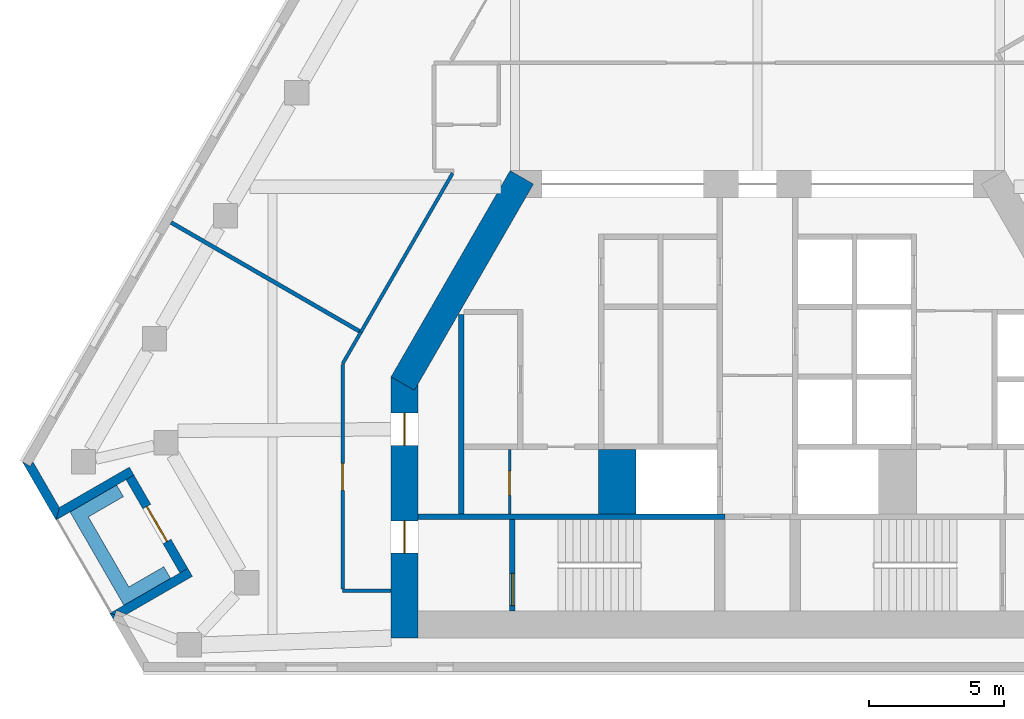
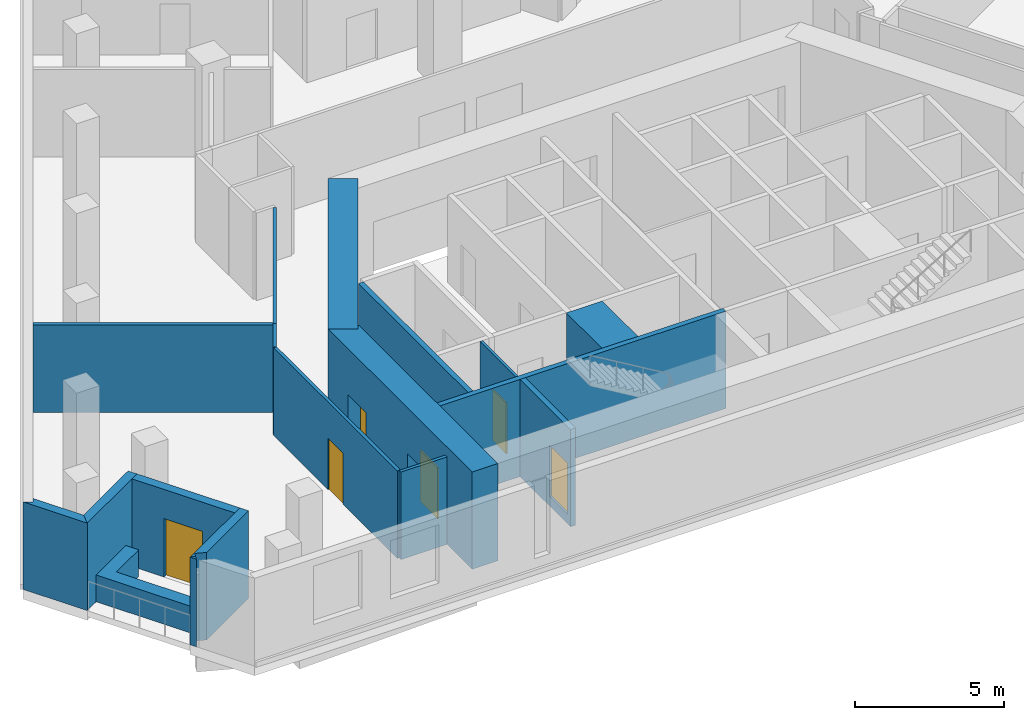
# One storey, part 3 of 9: 18 walls, 6 doors, 6 openings.
"""IFC4 building model written with IfcOpenShell, lengths in metres."""

from ifc_helpers import new_model, si_unit, direction, frame, frame_2d, origin, place, context, subcontext, project, spatial, polyline, rectangle, outline, extrude, material, layer, layer_set, type_object, element, fill, save


model = new_model("IFC4")

# Units and contexts
model_context = context("Model", 3, precision=1e-05, world=origin(), true_north=direction((0.0, 1.0)))
body_context = subcontext(model_context, "Body", "Model", "MODEL_VIEW")
ifc_project = project(units=[si_unit("LENGTHUNIT", "METRE"), si_unit("AREAUNIT", "SQUARE_METRE"), si_unit("VOLUMEUNIT", "CUBIC_METRE"), si_unit("PLANEANGLEUNIT", "RADIAN"), si_unit("MASSUNIT", "GRAM", prefix="KILO")], contexts=[model_context])

# Site, building, storey
site_placement = place(None, origin())
site = spatial("IfcSite", under=ifc_project, at=site_placement, CompositionType="ELEMENT")
building_placement = place(site_placement, origin())
building = spatial("IfcBuilding", under=site, at=building_placement, Name="Fogline Exchange Tower", CompositionType="ELEMENT")
storey_placement = place(building_placement, frame((0.0, 0.0, 210.10009765625)))
storey = spatial("IfcBuildingStorey", under=building, at=storey_placement, Name="L47", CompositionType="ELEMENT", Elevation=210.10009765625)

# Wall, opening, door
ifc_material_1 = material(Name="Blockwork partition", Category="masonry")
ifc_layer_1 = layer(ifc_material_1, 0.10009765625)
ifc_layer_set_1 = layer_set([ifc_layer_1], Name="CW10")
wall_type_1 = type_object("IfcWallType", Name="CW10", PredefinedType="PARTITIONING", material=ifc_layer_set_1)
wall_1_placement = place(storey_placement, frame((-9.199951171875, 5.85009765625, 0.0), z_axis=(0.0, 0.0, 1.0), x_axis=(0.0, 1.0, 0.0)))
wall_1 = element("IfcWall", 1, at=wall_1_placement, inside=storey, type_object=wall_type_1, Name="WC partition", PredefinedType="PARTITIONING", context=body_context, shape_type="SweptSolid", body=[
    extrude(rectangle(XDim=2.39990234375, YDim=0.10009765625, at=frame_2d((1.199951171875, 0.0))), origin(), (0.0, 0.0, 1.0), 3.599853515625),
])
opening_1_placement = place(wall_1_placement, frame((0.699951171875, 0.0, 0.0)))
opening_1 = element("IfcOpeningElement", 2, at=opening_1_placement, cuts=wall_1, Name="Opening T15-C009", PredefinedType="OPENING", context=body_context, shape_type="SweptSolid", body=[
    extrude(rectangle(XDim=0.89990234375, YDim=2.10009765625, at=frame_2d((0.449951171875, 1.050048828125))), frame((0.0, 0.06005859375, 0.0), z_axis=(0.0, -1.0, 0.0), x_axis=(1.0, 0.0, 0.0)), (0.0, 0.0, 1.0), 0.1201171875),
])
ifc_material_2 = material(Name="Steel and timber fire door", Category="steel")
door_type_1 = type_object("IfcDoorType", Name="D-CS1", OperationType="SINGLE_SWING_RIGHT", PredefinedType="DOOR", material=ifc_material_2)
door_1_placement = place(opening_1_placement, origin())
door_1 = element("IfcDoor", 3, at=door_1_placement, inside=storey, type_object=door_type_1, Name="Door to Cleaner's Store", OperationType="SINGLE_SWING_LEFT", OverallHeight=2.10009765625, OverallWidth=0.89990234375, PredefinedType="DOOR", context=body_context, shape_type="SweptSolid", body=[
    extrude(rectangle(XDim=0.89990234375, YDim=2.10009765625, at=frame_2d((0.449951171875, 1.050048828125))), frame((0.0, 0.02490234375, 0.0), z_axis=(0.0, -1.0, 0.0), x_axis=(1.0, 0.0, 0.0)), (0.0, 0.0, 1.0), 0.050048828125),
])
fill(opening_1, door_1)

# Walls
ifc_material_3 = material(Name="Concrete C60", Category="concrete")
ifc_layer_2 = layer(ifc_material_3, 1.39990234375)
ifc_layer_set_2 = layer_set([ifc_layer_2], Name="CW140")
wall_type_2 = type_object("IfcWallType", Name="CW140", PredefinedType="SOLIDWALL", material=ifc_layer_set_2)
wall_2_placement = place(storey_placement, frame((-5.199951171875, 5.85009765625, -0.400146484375), z_axis=(0.0, 0.0, 1.0), x_axis=(0.0, 1.0, 0.0)))
element("IfcWall", 4, at=wall_2_placement, inside=storey, type_object=wall_type_2, Name="Lift shaft block wall", PredefinedType="SOLIDWALL", context=body_context, shape_type="SweptSolid", body=[
    extrude(rectangle(XDim=2.39990234375, YDim=1.39990234375, at=frame_2d((1.199951171875, 0.0))), origin(), (0.0, 0.0, 1.0), 4.0),
])
ifc_material_4 = material(Name="Concrete C40", Category="concrete")
ifc_layer_3 = layer(ifc_material_4, 0.199951171875)
ifc_layer_set_3 = layer_set([ifc_layer_3], Name="CW20")
wall_type_3 = type_object("IfcWallType", Name="CW20", PredefinedType="SOLIDWALL", material=ifc_layer_set_3)
wall_3_placement = place(storey_placement, frame((-11.0, 5.85009765625, 0.0), z_axis=(0.0, 0.0, 1.0), x_axis=(0.0, 1.0, 0.0)))
element("IfcWall", 5, at=wall_3_placement, inside=storey, type_object=wall_type_3, Name="Service room wall", PredefinedType="SOLIDWALL", context=body_context, shape_type="SweptSolid", body=[
    extrude(rectangle(XDim=7.39990234375, YDim=0.199951171875, at=frame_2d((3.699951171875, 0.0))), origin(), (0.0, 0.0, 1.0), 3.599853515625),
])
ifc_layer_4 = layer(ifc_material_4, 0.199951171875)
ifc_layer_set_4 = layer_set([ifc_layer_4], Name="CW20R")
wall_type_4 = type_object("IfcWallType", Name="CW20R", PredefinedType="SOLIDWALL", material=ifc_layer_set_4)
wall_4_placement = place(storey_placement, frame((-12.60009765625, 5.75, -0.400146484375), z_axis=(0.0, 0.0, 1.0), x_axis=(1.0, 0.0, 0.0)))
element("IfcWall", 6, at=wall_4_placement, inside=storey, type_object=wall_type_4, Name="Stair enclosure wall", PredefinedType="SOLIDWALL", context=body_context, shape_type="SweptSolid", body=[
    extrude(rectangle(XDim=11.400146484375, YDim=0.199951171875, at=frame_2d((5.7001953125, 0.0))), origin(), (0.0, 0.0, 1.0), 4.0),
])

# Wall, opening, door
wall_5_placement = place(storey_placement, frame((-9.10009765625, 2.25, -0.400146484375), z_axis=(0.0, 0.0, 1.0), x_axis=(0.0, 1.0, 0.0)))
wall_5 = element("IfcWall", 7, at=wall_5_placement, inside=storey, type_object=wall_type_4, Name="Stair enclosure wall", PredefinedType="SOLIDWALL", context=body_context, shape_type="SweptSolid", body=[
    extrude(rectangle(XDim=3.39990234375, YDim=0.199951171875, at=frame_2d((1.699951171875, 0.0))), origin(), (0.0, 0.0, 1.0), 4.0),
])
opening_2_placement = place(wall_5_placement, frame((0.199951171875, 0.0, 0.39990234375)))
opening_2 = element("IfcOpeningElement", 8, at=opening_2_placement, cuts=wall_5, Name="Opening T15-C011", PredefinedType="OPENING", context=body_context, shape_type="SweptSolid", body=[
    extrude(rectangle(XDim=1.199951171875, YDim=2.10009765625, at=frame_2d((0.60009765625, 1.050048828125))), frame((0.0, 0.10986328125, 0.0), z_axis=(0.0, -1.0, 0.0), x_axis=(1.0, 0.0, 0.0)), (0.0, 0.0, 1.0), 0.219970703125),
])
door_type_2 = type_object("IfcDoorType", Name="D-ST1", OperationType="SINGLE_SWING_LEFT", PredefinedType="DOOR", material=ifc_material_2)
door_2_placement = place(opening_2_placement, frame((1.199951171875, 0.0, 0.0), z_axis=(0.0, 0.0, 1.0), x_axis=(-1.0, 0.0, 0.0)))
door_2 = element("IfcDoor", 9, at=door_2_placement, inside=storey, type_object=door_type_2, Name="Stair door ST1", OperationType="SINGLE_SWING_RIGHT", OverallHeight=2.10009765625, OverallWidth=1.199951171875, PredefinedType="DOOR", context=body_context, shape_type="SweptSolid", body=[
    extrude(rectangle(XDim=1.199951171875, YDim=2.10009765625, at=frame_2d((0.60009765625, 1.050048828125))), frame((0.0, 0.02490234375, 0.0), z_axis=(0.0, -1.0, 0.0), x_axis=(1.0, 0.0, 0.0)), (0.0, 0.0, 1.0), 0.050048828125),
])
fill(opening_2, door_2)

# Walls
ifc_material_5 = material(Name="Brick masonry", Category="masonry")
ifc_layer_5 = layer(ifc_material_5, 0.340087890625)
ifc_layer_set_5 = layer_set([ifc_layer_5], Name="FW1")
wall_type_5 = type_object("IfcWallType", Name="FW1", PredefinedType="SOLIDWALL", material=ifc_layer_set_5)
wall_6_placement = place(storey_placement, origin())
element("IfcWall", 10, at=wall_6_placement, inside=storey, type_object=wall_type_5, Name="Brick wall L47 SW-c1", PredefinedType="SOLIDWALL", context=body_context, shape_type="SweptSolid", body=[
    extrude(outline(polyline([(-26.03662109375, 5.6279296875), (-27.28759765625, 7.794921875), (-27.287109375, 7.79541015625), (-26.9921875, 7.625), (-26.89404296875, 7.79541015625), (-25.911376953125, 6.09375), (-26.0361328125, 5.6279296875), (-26.03662109375, 5.6279296875)])), origin(), (0.0, 0.0, 1.0), 3.599853515625),
])
wall_7_placement = place(storey_placement, origin())
element("IfcWall", 11, at=wall_7_placement, inside=storey, type_object=wall_type_5, Name="Brick wall L47 SW-s1", PredefinedType="SOLIDWALL", context=body_context, shape_type="SweptSolid", body=[
    extrude(outline(polyline([(-23.313720703125, 7.594482421875), (-23.14306640625, 7.298828125), (-23.438232421875, 7.128662109375), (-26.037109375, 5.628173828125), (-26.037353515625, 5.62841796875), (-25.91259765625, 6.093994140625), (-23.313720703125, 7.594482421875)])), origin(), (0.0, 0.0, 1.0), 3.599853515625),
])

# Wall, opening, door
wall_8_placement = place(storey_placement, frame((-23.291259765625, 7.214111328125, 0.0), z_axis=(0.0, 0.0, 1.0), x_axis=(0.49999894854, -0.866026010844, 0.0)))
wall_8 = element("IfcWall", 12, at=wall_8_placement, inside=storey, type_object=wall_type_5, Name="Brick wall L47 SW-bk", PredefinedType="SOLIDWALL", context=body_context, shape_type="SweptSolid", body=[
    extrude(rectangle(XDim=4.0, YDim=0.340087890625, at=frame_2d((2.0, 0.0))), origin(), (0.0, 0.0, 1.0), 3.599853515625),
])
opening_3_placement = place(wall_8_placement, frame((1.25, 0.0, 0.0)))
opening_3 = element("IfcOpeningElement", 13, at=opening_3_placement, cuts=wall_8, Name="Opening T15-E021", PredefinedType="OPENING", context=body_context, shape_type="SweptSolid", body=[
    extrude(rectangle(XDim=1.5, YDim=2.39990234375, at=frame_2d((0.75, 1.199951171875))), frame((0.0, 0.18017578125, 0.0), z_axis=(0.0, -1.0, 0.0), x_axis=(1.0, 0.0, 0.0)), (0.0, 0.0, 1.0), 0.360107421875),
])
ifc_material_6 = material(Name="Aluminium and glass", Category="aluminium")
door_type_3 = type_object("IfcDoorType", Name="ED4", OperationType="SINGLE_SWING_LEFT", PredefinedType="DOOR", material=ifc_material_6)
door_3_placement = place(opening_3_placement, frame((1.5, 0.0, 0.0), z_axis=(0.0, 0.0, 1.0), x_axis=(-1.0, 0.0, 0.0)))
door_3 = element("IfcDoor", 14, at=door_3_placement, inside=storey, type_object=door_type_3, Name="Balcony door L47 SW", OperationType="DOUBLE_DOOR_SINGLE_SWING", OverallHeight=2.39990234375, OverallWidth=1.5, PredefinedType="DOOR", context=body_context, shape_type="SweptSolid", body=[
    extrude(rectangle(XDim=1.5, YDim=2.39990234375, at=frame_2d((0.75, 1.199951171875))), frame((0.0, 0.02490234375, 0.0), z_axis=(0.0, -1.0, 0.0), x_axis=(1.0, 0.0, 0.0)), (0.0, 0.0, 1.0), 0.050048828125),
])
fill(opening_3, door_3)

# Walls
wall_9_placement = place(storey_placement, origin())
element("IfcWall", 15, at=wall_9_placement, inside=storey, type_object=wall_type_5, Name="Brick wall L47 SW-s2", PredefinedType="SOLIDWALL", context=body_context, shape_type="SweptSolid", body=[
    extrude(outline(polyline([(-21.438720703125, 3.66552734375), (-21.143798828125, 3.8359375), (-20.97314453125, 3.540283203125), (-23.419677734375, 2.1279296875), (-23.790771484375, 2.2734375), (-23.852783203125, 2.115234375), (-24.03759765625, 2.164794921875), (-24.037841796875, 2.1650390625), (-21.438720703125, 3.66552734375)])), origin(), (0.0, 0.0, 1.0), 3.599853515625),
])
wall_10_placement = place(storey_placement, origin())
element("IfcWall", 16, at=wall_10_placement, inside=storey, type_object=wall_type_5, Name="Brick wall L47 SW-c2", PredefinedType="SOLIDWALL", context=body_context, shape_type="SweptSolid", body=[
    extrude(outline(polyline([(-24.03759765625, 2.165771484375), (-24.037353515625, 2.166015625), (-23.852294921875, 2.116455078125), (-23.915771484375, 1.95458984375), (-24.03759765625, 2.165771484375)])), origin(), (0.0, 0.0, 1.0), 3.599853515625),
])
ifc_material_7 = material(Name="Concrete C30", Category="concrete")
ifc_layer_6 = layer(ifc_material_7, 0.199951171875)
ifc_layer_set_6 = layer_set([ifc_layer_6], Name="PL1")
wall_type_6 = type_object("IfcWallType", Name="PL1", PredefinedType="USERDEFINED", material=ifc_layer_set_6)
wall_11_placement = place(storey_placement, origin())
element("IfcWall", 17, at=wall_11_placement, inside=storey, type_object=wall_type_6, Name="PLANTER balcony L47 SW", ObjectType="PLANTER", PredefinedType="USERDEFINED", context=body_context, shape_type="SweptSolid", body=[
    extrude(outline(polyline([(-22.034912109375, 3.898193359375), (-23.333984375, 3.148193359375), (-24.833984375, 5.74609375), (-23.534912109375, 6.49609375), (-23.784912109375, 6.92919921875), (-25.516845703125, 5.92919921875), (-25.266845703125, 5.49609375), (-23.516845703125, 2.465087890625), (-23.083984375, 2.715087890625), (-23.083984375, 2.715087890625), (-21.784912109375, 3.465087890625), (-22.034912109375, 3.898193359375)])), origin(), (0.0, 0.0, 1.0), 1.099853515625),
])
ifc_material_8 = material(Name="Plasterboard corridor partition with mineral wool, 2 layers each side")
ifc_layer_7 = layer(ifc_material_8, 0.125)
ifc_layer_set_7 = layer_set([ifc_layer_7], Name="PW2")
wall_type_7 = type_object("IfcWallType", Name="PW2", PredefinedType="PARTITIONING", material=ifc_layer_set_7)
wall_12_placement = place(storey_placement, frame((-14.719482421875, 12.606201171875, 0.0), z_axis=(0.0, 0.0, 1.0), x_axis=(0.499982011104, 0.866035789429, 0.0)))
element("IfcWall", 18, at=wall_12_placement, inside=storey, type_object=wall_type_7, Name="wall-L47-W012", PredefinedType="PARTITIONING", context=body_context, shape_type="SweptSolid", body=[
    extrude(rectangle(XDim=6.812255859375, YDim=0.125, at=frame_2d((3.40625, 0.0))), origin(), (0.0, 0.0, 1.0), 3.599853515625),
])
wall_13_placement = place(storey_placement, frame((-13.60009765625, 3.0, 0.0), z_axis=(0.0, 0.0, 1.0), x_axis=(-1.0, 0.0, 0.0)))
element("IfcWall", 19, at=wall_13_placement, inside=storey, type_object=wall_type_7, Name="wall-L47-W013", PredefinedType="PARTITIONING", context=body_context, shape_type="SweptSolid", body=[
    extrude(rectangle(XDim=1.7998046875, YDim=0.125, at=frame_2d((0.89990234375, 0.0))), origin(), (0.0, 0.0, 1.0), 3.599853515625),
])

# Wall, opening, door
wall_14_placement = place(storey_placement, frame((-15.39990234375, 3.0625, 0.0), z_axis=(0.0, 0.0, 1.0), x_axis=(0.0, 1.0, 0.0)))
wall_14 = element("IfcWall", 20, at=wall_14_placement, inside=storey, type_object=wall_type_7, Name="wall-L47-W014", PredefinedType="PARTITIONING", context=body_context, shape_type="SweptSolid", body=[
    extrude(rectangle(XDim=8.334228515625, YDim=0.125, at=frame_2d((4.1669921875, 0.0))), origin(), (0.0, 0.0, 1.0), 3.599853515625),
])
opening_4_placement = place(wall_14_placement, frame((3.6669921875, 0.0, 0.0)))
opening_4 = element("IfcOpeningElement", 21, at=opening_4_placement, cuts=wall_14, Name="Opening T15-D006", PredefinedType="OPENING", context=body_context, shape_type="SweptSolid", body=[
    extrude(rectangle(XDim=1.0, YDim=2.10009765625, at=frame_2d((0.5, 1.050048828125))), frame((0.0, 0.072509765625, 0.0), z_axis=(0.0, -1.0, 0.0), x_axis=(1.0, 0.0, 0.0)), (0.0, 0.0, 1.0), 0.14501953125),
])
ifc_material_9 = material(Name="Fire-rated timber door leaf with steel frame", Category="steel")
door_type_4 = type_object("IfcDoorType", Name="D3", OperationType="SINGLE_SWING_LEFT", PredefinedType="DOOR", material=ifc_material_9)
door_4_placement = place(opening_4_placement, origin())
door_4 = element("IfcDoor", 22, at=door_4_placement, inside=storey, type_object=door_type_4, Name="door-L47-D006", OperationType="SINGLE_SWING_LEFT", OverallHeight=2.10009765625, OverallWidth=1.0, PredefinedType="DOOR", context=body_context, shape_type="SweptSolid", body=[
    extrude(rectangle(XDim=1.0, YDim=2.10009765625, at=frame_2d((0.5, 1.050048828125))), frame((0.0, 0.02490234375, 0.0), z_axis=(0.0, -1.0, 0.0), x_axis=(1.0, 0.0, 0.0)), (0.0, 0.0, 1.0), 0.050048828125),
])
fill(opening_4, door_4)

# Walls
wall_15_placement = place(storey_placement, frame((-15.39990234375, 11.427734375, 0.0), z_axis=(0.0, 0.0, 1.0), x_axis=(0.500017526161, 0.866015284814, 0.0)))
element("IfcWall", 23, at=wall_15_placement, inside=storey, type_object=wall_type_7, Name="wall-L47-W015", PredefinedType="PARTITIONING", context=body_context, shape_type="SweptSolid", body=[
    extrude(rectangle(XDim=1.36083984375, YDim=0.125, at=frame_2d((0.680419921875, 0.0))), origin(), (0.0, 0.0, 1.0), 3.599853515625),
])
ifc_material_10 = material(Name="Plasterboard demising partition with mineral wool and acoustic board")
ifc_layer_8 = layer(ifc_material_10, 0.14990234375)
ifc_layer_set_8 = layer_set([ifc_layer_8], Name="PW3")
wall_type_8 = type_object("IfcWallType", Name="PW3", PredefinedType="PARTITIONING", material=ifc_layer_set_8)
wall_16_placement = place(storey_placement, frame((-14.773681640625, 12.637451171875, 0.0), z_axis=(0.0, 0.0, 1.0), x_axis=(-0.866025976704, 0.499999007672, 0.0)))
element("IfcWall", 24, at=wall_16_placement, inside=storey, type_object=wall_type_8, Name="wall-L47-W045", PredefinedType="PARTITIONING", context=body_context, shape_type="SweptSolid", body=[
    extrude(rectangle(XDim=8.07470703125, YDim=0.14990234375, at=frame_2d((4.037353515625, 0.0))), origin(), (0.0, 0.0, 1.0), 3.599853515625),
])
ifc_layer_9 = layer(ifc_material_3, 1.0)
ifc_layer_set_9 = layer_set([ifc_layer_9], Name="SW03")
wall_type_9 = type_object("IfcWallType", Name="SW03", PredefinedType="SHEAR", material=ifc_layer_set_9)
wall_17_placement = place(storey_placement, frame((-8.74755859375, 18.35009765625, 0.0), z_axis=(0.0, 0.0, 1.0), x_axis=(-0.499995021168, -0.866028278295, 0.0)))
element("IfcWall", 25, at=wall_17_placement, inside=storey, type_object=wall_type_9, Name="L47-W905", PredefinedType="SHEAR", context=body_context, shape_type="SweptSolid", body=[
    extrude(rectangle(XDim=8.8388671875, YDim=1.0, at=frame_2d((4.41943359375, 0.0))), origin(), (0.0, 0.0, 1.0), 4.0),
])

# Wall, openings, doors
wall_18_placement = place(storey_placement, frame((-13.10009765625, 10.9453125, 0.0), z_axis=(0.0, 0.0, 1.0), x_axis=(0.0, -1.0, 0.0)))
wall_18 = element("IfcWall", 26, at=wall_18_placement, inside=storey, type_object=wall_type_9, Name="L47-W906", PredefinedType="SHEAR", context=body_context, shape_type="SweptSolid", body=[
    extrude(rectangle(XDim=9.6953125, YDim=1.0, at=frame_2d((4.84765625, 0.0))), origin(), (0.0, 0.0, 1.0), 4.0),
])
opening_5_placement = place(wall_18_placement, frame((5.345458984375, 0.0, 0.0)))
opening_5 = element("IfcOpeningElement", 27, at=opening_5_placement, cuts=wall_18, Name="Opening T15-C010", PredefinedType="OPENING", context=body_context, shape_type="SweptSolid", body=[
    extrude(rectangle(XDim=1.199951171875, YDim=2.10009765625, at=frame_2d((0.60009765625, 1.050048828125))), frame((0.0, 0.510009765625, 0.0), z_axis=(0.0, -1.0, 0.0), x_axis=(1.0, 0.0, 0.0)), (0.0, 0.0, 1.0), 1.02001953125),
])
opening_6_placement = place(wall_18_placement, frame((1.345458984375, 0.0, 0.0)))
opening_6 = element("IfcOpeningElement", 28, at=opening_6_placement, cuts=wall_18, Name="Opening T15-C012", PredefinedType="OPENING", context=body_context, shape_type="SweptSolid", body=[
    extrude(rectangle(XDim=1.199951171875, YDim=2.10009765625, at=frame_2d((0.60009765625, 1.050048828125))), frame((0.0, 0.510009765625, 0.0), z_axis=(0.0, -1.0, 0.0), x_axis=(1.0, 0.0, 0.0)), (0.0, 0.0, 1.0), 1.02001953125),
])
door_type_5 = type_object("IfcDoorType", Name="D-FR1", OperationType="SINGLE_SWING_RIGHT", PredefinedType="DOOR", material=ifc_material_2)
door_5_placement = place(opening_5_placement, origin())
door_5 = element("IfcDoor", 29, at=door_5_placement, inside=storey, type_object=door_type_5, Name="Front room door ST1", OperationType="SINGLE_SWING_LEFT", OverallHeight=2.10009765625, OverallWidth=1.199951171875, PredefinedType="DOOR", context=body_context, shape_type="SweptSolid", body=[
    extrude(rectangle(XDim=1.199951171875, YDim=2.10009765625, at=frame_2d((0.60009765625, 1.050048828125))), frame((0.0, 0.02490234375, 0.0), z_axis=(0.0, -1.0, 0.0), x_axis=(1.0, 0.0, 0.0)), (0.0, 0.0, 1.0), 0.050048828125),
])
fill(opening_5, door_5)
door_type_6 = type_object("IfcDoorType", Name="D-SV1", OperationType="SINGLE_SWING_LEFT", PredefinedType="DOOR", material=ifc_material_2)
door_6_placement = place(opening_6_placement, origin())
door_6 = element("IfcDoor", 30, at=door_6_placement, inside=storey, type_object=door_type_6, Name="Service door W", OperationType="SINGLE_SWING_LEFT", OverallHeight=2.10009765625, OverallWidth=1.199951171875, PredefinedType="DOOR", context=body_context, shape_type="SweptSolid", body=[
    extrude(rectangle(XDim=1.199951171875, YDim=2.10009765625, at=frame_2d((0.60009765625, 1.050048828125))), frame((0.0, 0.02490234375, 0.0), z_axis=(0.0, -1.0, 0.0), x_axis=(1.0, 0.0, 0.0)), (0.0, 0.0, 1.0), 0.050048828125),
])
fill(opening_6, door_6)

save(model, "model.ifc")
